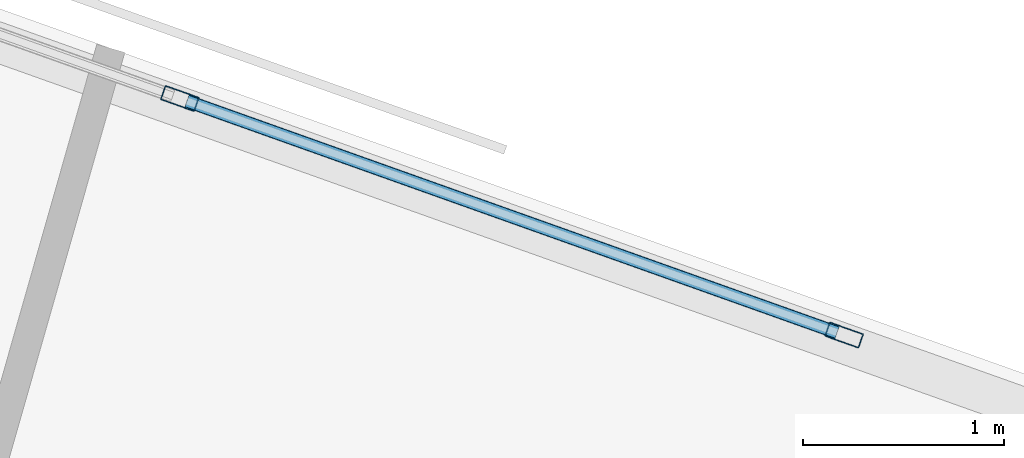
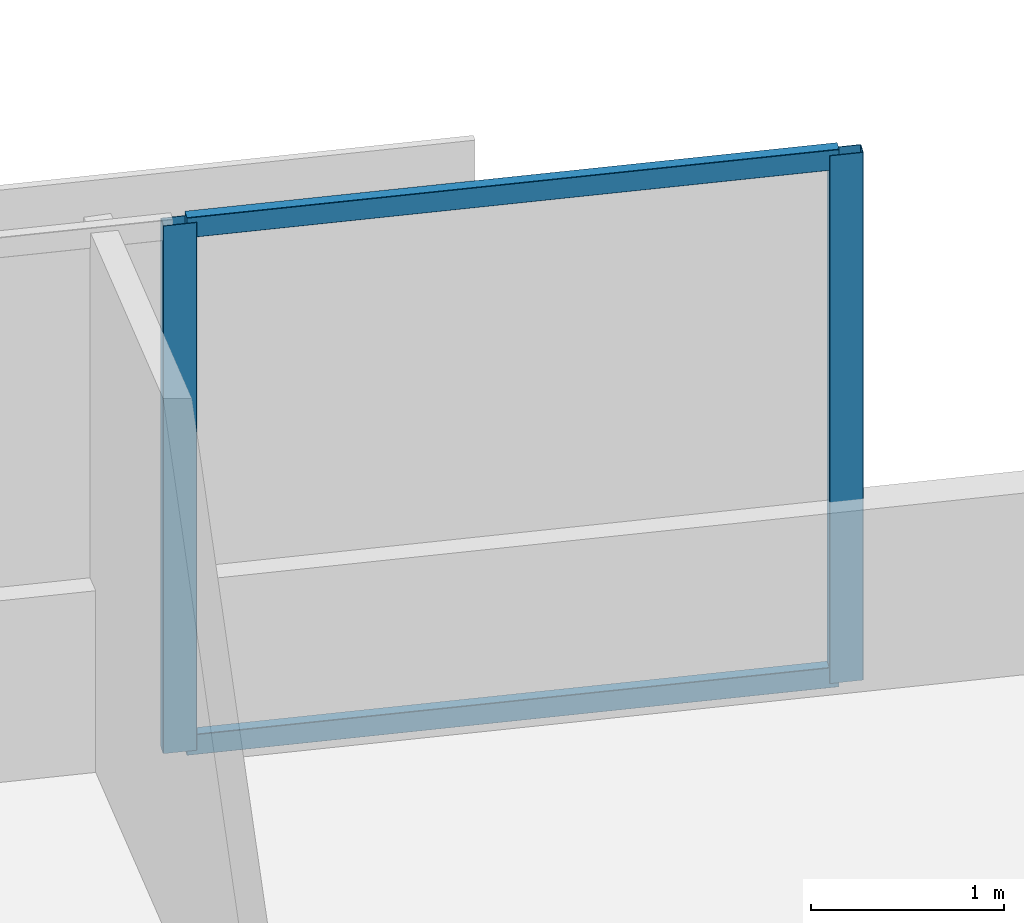
# One storey, part 2 of 15: 4 members, 1 element without a shape of its own.
"""IFC4 building model written with IfcOpenShell, lengths in metres."""

from ifc_helpers import new_model, si_unit, direction, frame, origin, origin_2d, place, context, subcontext, project, spatial, hollow_rectangle, extrude, material, material_profile, profile_set, type_object, element, aggregate, save


model = new_model("IFC4")

# Units and contexts
model_context = context("Model", 3, precision=1e-05, world=origin(), true_north=direction((0.0, 1.0)))
body_context = subcontext(model_context, "Body", "Model", "MODEL_VIEW")
ifc_project = project(units=[si_unit("LENGTHUNIT", "METRE"), si_unit("AREAUNIT", "SQUARE_METRE"), si_unit("VOLUMEUNIT", "CUBIC_METRE"), si_unit("PLANEANGLEUNIT", "RADIAN"), si_unit("MASSUNIT", "GRAM", prefix="KILO")], contexts=[model_context])

# Site, building, storey
site_placement = place(None, origin())
site = spatial("IfcSite", under=ifc_project, at=site_placement, CompositionType="ELEMENT")
building_placement = place(site_placement, origin())
building = spatial("IfcBuilding", under=site, at=building_placement, Name="Narakoshi Arena Tower", CompositionType="ELEMENT")
storey_placement = place(building_placement, frame((0.0, 0.0, 143.10009765625)))
storey = spatial("IfcBuildingStorey", under=building, at=storey_placement, Name="L38", CompositionType="ELEMENT", Elevation=143.10009765625)

# Curtain wall, members
ifc_material = material(Name="Anodised bronze aluminium 6063-T6", Category="aluminium")
curtain_wall_type = type_object("IfcCurtainWallType", Name="CW-HYP-MID", PredefinedType="NOTDEFINED", material=ifc_material)
curtain_wall_placement = place(storey_placement, origin())
curtain_wall = element("IfcCurtainWall", 1, at=curtain_wall_placement, inside=storey, type_object=curtain_wall_type, Name="L38 Folded Hypotenuse Curtain Wall 2-1", PredefinedType="NOTDEFINED")
ifc_material_profile_1 = material_profile(ifc_material, hollow_rectangle(XDim=0.074951171875, YDim=0.179931640625, WallThickness=0.00390625, OuterFilletRadius=0.0048828125, at=origin_2d()), Name="MUL180x75x4")
ifc_profile_set_1 = profile_set([ifc_material_profile_1], Name="Anodised bronze aluminium 6063-T6")
member_type_1 = type_object("IfcMemberType", Name="MEM-MUL-180", PredefinedType="MULLION", material=ifc_profile_set_1)
member_1_placement = place(storey_placement, frame((87.77978515625, 62.73876953125, 0.0), z_axis=(0.0, 0.0, 1.0), x_axis=(-0.335518297139, -0.94203368957, 0.0)))
member_1 = element("IfcMember", 2, at=member_1_placement, type_object=member_type_1, Name="CW-02 mullion 1", PredefinedType="MULLION", context=body_context, shape_type="SweptSolid", body=[
    extrude(hollow_rectangle(XDim=0.074951171875, YDim=0.179931640625, WallThickness=0.00390625, OuterFilletRadius=0.0048828125, at=origin_2d()), origin(), (0.0, 0.0, 1.0), 3.33984375),
])
member_2_placement = place(storey_placement, frame((84.470458984375, 63.917236328125, 0.0), z_axis=(0.0, 0.0, 1.0), x_axis=(-0.335518297139, -0.94203368957, 0.0)))
member_2 = element("IfcMember", 3, at=member_2_placement, type_object=member_type_1, Name="CW-02 mullion 2", PredefinedType="MULLION", context=body_context, shape_type="SweptSolid", body=[
    extrude(hollow_rectangle(XDim=0.074951171875, YDim=0.179931640625, WallThickness=0.00390625, OuterFilletRadius=0.0048828125, at=origin_2d()), origin(), (0.0, 0.0, 1.0), 3.33984375),
])
ifc_material_profile_2 = material_profile(ifc_material, hollow_rectangle(XDim=0.06494140625, YDim=0.1298828125, WallThickness=0.00390625, OuterFilletRadius=0.0048828125, at=origin_2d()), Name="TRN130x65x4")
ifc_profile_set_2 = profile_set([ifc_material_profile_2], Name="Anodised bronze aluminium 6063-T6")
member_type_2 = type_object("IfcMemberType", Name="MEM-TRN-130", PredefinedType="USERDEFINED", material=ifc_profile_set_2)
member_3_placement = place(storey_placement, frame((87.744384765625, 62.751220703125, 0.032470703125), z_axis=(-0.942022753127, 0.335549001773, 0.0), x_axis=(-0.335549001773, -0.942022753127, 0.0)))
member_3 = element("IfcMember", 4, at=member_3_placement, type_object=member_type_2, Name="CW-02 transom 1.1", ObjectType="TRANSOM", PredefinedType="USERDEFINED", context=body_context, shape_type="SweptSolid", body=[
    extrude(hollow_rectangle(XDim=0.06494140625, YDim=0.1298828125, WallThickness=0.00390625, OuterFilletRadius=0.0048828125, at=origin_2d()), origin(), (0.0, 0.0, 1.0), 3.437744140625),
])
member_4_placement = place(storey_placement, frame((87.744384765625, 62.751220703125, 3.307373046875), z_axis=(-0.942022753127, 0.335549001773, 0.0), x_axis=(-0.335549001773, -0.942022753127, 0.0)))
member_4 = element("IfcMember", 5, at=member_4_placement, type_object=member_type_2, Name="CW-02 transom 1.2", ObjectType="TRANSOM", PredefinedType="USERDEFINED", context=body_context, shape_type="SweptSolid", body=[
    extrude(hollow_rectangle(XDim=0.06494140625, YDim=0.1298828125, WallThickness=0.00390625, OuterFilletRadius=0.0048828125, at=origin_2d()), origin(), (0.0, 0.0, 1.0), 3.437744140625),
])
aggregate(curtain_wall, [member_1, member_2, member_3, member_4])

save(model, "model.ifc")
